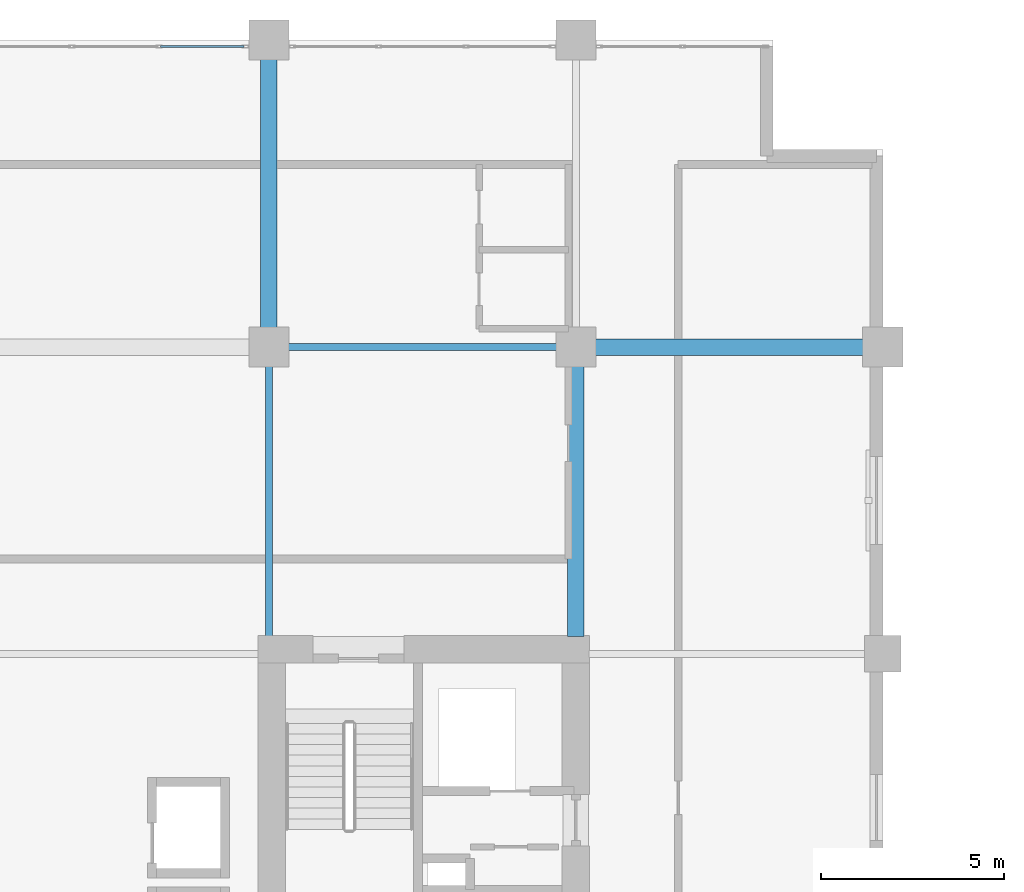
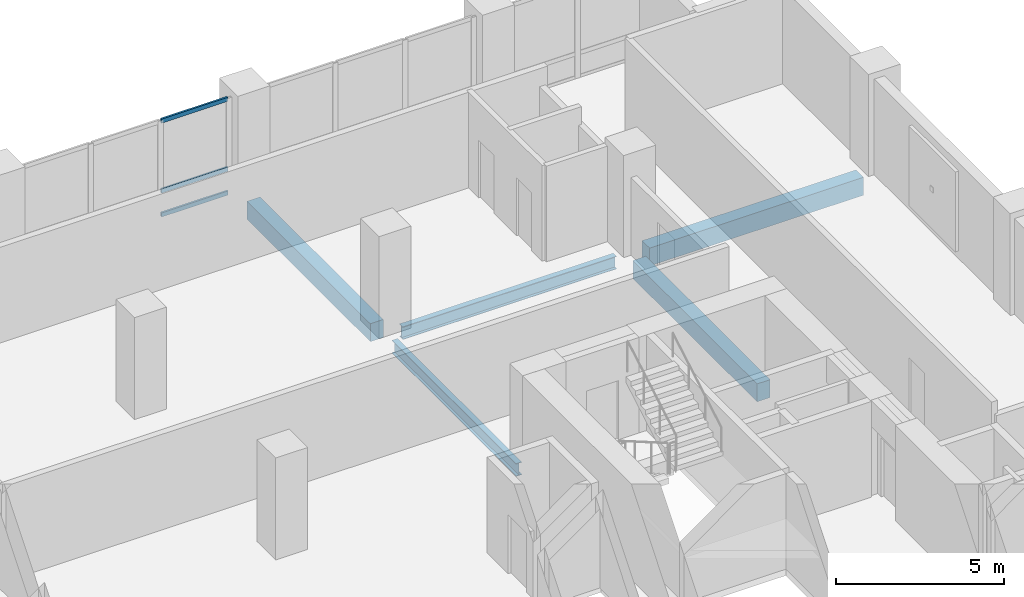
# One storey, part 4 of 20: 5 beams, 3 members, 1 element without a shape of its own.
"""IFC4 building model written with IfcOpenShell, lengths in metres."""

import ifcopenshell
import ifcopenshell.guid

model = None  # the IFC model being written
_history = None  # IfcOwnerHistory: only IFC2X3 demands one
_inside = {}  # id of a spatial element -> (the spatial element, [elements in it])
_under = {}  # id of a project, library or spatial element -> (it, [spatial elements below it])
_declared = {}  # id of a project -> (the project, [libraries it declares])
_typed = {}  # id of a type object -> (the type object, [elements of that type])
_made_of = {}  # id of a material, layer set ... -> (it, [elements and type objects made of it])


def new_model(schema):
    """Start an empty IFC model of exactly this schema.

    Asked for "IFC4X3", IfcOpenShell would pick the latest addendum, in which some entities
    have other attributes; the version numbers below select the first issue.
    IFC2X3 requires an IfcOwnerHistory on every rooted entity: one is made here for all.
    """
    global model, _history
    if schema == "IFC4X3":
        model = ifcopenshell.file(schema_version=(4, 3, 0, 0))
    else:
        model = ifcopenshell.file(schema=schema)
    _inside.clear()
    _under.clear()
    _declared.clear()
    _typed.clear()
    _made_of.clear()
    _history = None
    if model.schema == "IFC2X3":
        org = make("IfcOrganization", Name="unknown")
        user = make(
            "IfcPersonAndOrganization",
            ThePerson=make("IfcPerson", FamilyName="unknown"),
            TheOrganization=org,
        )
        app = make(
            "IfcApplication",
            ApplicationDeveloper=org,
            Version="unknown",
            ApplicationFullName="unknown",
            ApplicationIdentifier="unknown",
        )
        _history = make(
            "IfcOwnerHistory",
            OwningUser=user,
            OwningApplication=app,
            ChangeAction="ADDED",
            CreationDate=0,
        )
    return model


def make(cls, **values):
    """One entity of the class cls with the attributes given. An attribute that is None is left unset."""
    return model.create_entity(
        cls, **{name: value for name, value in values.items() if value is not None}
    )


def rooted(cls, **values):
    """An entity with a GlobalId (a new one), such as an element, a storey or a relation."""
    return make(cls, GlobalId=ifcopenshell.guid.new(), OwnerHistory=_history, **values)


def si_unit(unit_type, name, prefix=None):
    """IfcSIUnit, for example si_unit("LENGTHUNIT", "METRE", prefix="MILLI")."""
    return make("IfcSIUnit", UnitType=unit_type, Prefix=prefix, Name=name)


def assignment(units):
    """IfcUnitAssignment: the units of a project."""
    return None if units is None else make("IfcUnitAssignment", Units=units)


def point(xyz):
    """IfcCartesianPoint."""
    return None if xyz is None else make("IfcCartesianPoint", Coordinates=xyz)


def direction(xyz):
    """IfcDirection."""
    return None if xyz is None else make("IfcDirection", DirectionRatios=xyz)


def frame(location, z_axis=None, x_axis=None):
    """IfcAxis2Placement3D, a coordinate frame: its origin and axes. An axis left out is left unset."""
    return make(
        "IfcAxis2Placement3D",
        Location=point(location),
        Axis=direction(z_axis),
        RefDirection=direction(x_axis),
    )


def frame_2d(location, x_axis=None):
    """IfcAxis2Placement2D, a coordinate frame in the plane: its origin and x axis."""
    return make(
        "IfcAxis2Placement2D", Location=point(location), RefDirection=direction(x_axis)
    )


def origin():
    """The frame at (0, 0, 0) with its axes left unset."""
    return frame((0.0, 0.0, 0.0))


def origin_2d():
    """The frame at (0, 0) in the plane with its x axis left unset."""
    return frame_2d((0.0, 0.0))


def place(relative_to, where):
    """IfcLocalPlacement: puts the frame where relative to a parent placement (None: the world)."""
    return make(
        "IfcLocalPlacement", PlacementRelTo=relative_to, RelativePlacement=where
    )


def context(
    kind, dimensions, precision=None, world=None, true_north=None, identifier=None
):
    """IfcGeometricRepresentationContext, for example the 3D "Model" context."""
    return make(
        "IfcGeometricRepresentationContext",
        ContextIdentifier=identifier,
        ContextType=kind,
        CoordinateSpaceDimension=dimensions,
        Precision=precision,
        WorldCoordinateSystem=world,
        TrueNorth=true_north,
    )


def subcontext(parent, identifier, kind, view, scale=None):
    """IfcGeometricRepresentationSubContext, for example "Body" below "Model"."""
    return make(
        "IfcGeometricRepresentationSubContext",
        ContextIdentifier=identifier,
        ContextType=kind,
        ParentContext=parent,
        TargetScale=scale,
        TargetView=view,
    )


def project(units=None, contexts=None):
    """IfcProject with its units and contexts."""
    return rooted(
        "IfcProject",
        Name="project",
        RepresentationContexts=contexts,
        UnitsInContext=assignment(units),
    )


def spatial(cls, under=None, at=None, **own):
    """A site, building, storey or space (cls), placed at a placement, below another one or the project."""
    s = rooted(cls, ObjectPlacement=at, **own)
    if under is not None:
        _under.setdefault(under.id(), (under, []))[1].append(s)
    return s


def profile(cls, at=None, kind="AREA", **sizes):
    """A parametric profile (cls). Its sizes go by their IFC names, for example OverallWidth=200.0."""
    return make(cls, ProfileType=kind, Position=at, **sizes)


def rectangle(**sizes):
    """IfcRectangleProfileDef."""
    return profile("IfcRectangleProfileDef", **sizes)


def hollow_rectangle(**sizes):
    """IfcRectangleHollowProfileDef."""
    return profile("IfcRectangleHollowProfileDef", **sizes)


def i_section(**sizes):
    """IfcIShapeProfileDef."""
    return profile("IfcIShapeProfileDef", **sizes)


def extrude(swept, where, along, depth):
    """IfcExtrudedAreaSolid: the profile swept, set in the frame where, extruded along a direction by depth."""
    return make(
        "IfcExtrudedAreaSolid",
        SweptArea=swept,
        Position=where,
        ExtrudedDirection=direction(along),
        Depth=depth,
    )


def shape(context_of_items, identifier, shape_type, items):
    """IfcShapeRepresentation: the items that make up one representation, for example the "Body"."""
    return make(
        "IfcShapeRepresentation",
        ContextOfItems=context_of_items,
        RepresentationIdentifier=identifier,
        RepresentationType=shape_type,
        Items=items,
    )


def material(Name=None, Category=None):
    """IfcMaterial."""
    return make("IfcMaterial", Name=Name, Category=Category)


def layer(
    of_material, thickness, ventilated=None, Name=None, Category=None, Priority=None
):
    """IfcMaterialLayer: one layer of a wall or slab, of a material (None: an air gap)."""
    return make(
        "IfcMaterialLayer",
        Material=of_material,
        LayerThickness=thickness,
        IsVentilated=ventilated,
        Name=Name,
        Category=Category,
        Priority=Priority,
    )


def layer_set(layers, Name=None):
    """IfcMaterialLayerSet."""
    return make("IfcMaterialLayerSet", MaterialLayers=layers, LayerSetName=Name)


def material_profile(
    of_material, cross_section, Name=None, Category=None, Priority=None
):
    """IfcMaterialProfile: a cross section and its material."""
    return make(
        "IfcMaterialProfile",
        Name=Name,
        Material=of_material,
        Profile=cross_section,
        Priority=Priority,
        Category=Category,
    )


def profile_set(profiles, Name=None, composite=None):
    """IfcMaterialProfileSet."""
    return make(
        "IfcMaterialProfileSet",
        Name=Name,
        MaterialProfiles=profiles,
        CompositeProfile=composite,
    )


def made_of(thing, what):
    """Note that an element or type object is made of a material, layer set ...; save() writes the relation."""
    if what is not None:
        _made_of.setdefault(what.id(), (what, []))[1].append(thing)
    return thing


def type_object(cls, material=None, **own):
    """A type object (cls), such as IfcWallType, which elements share."""
    return made_of(rooted(cls, **own), material)


def element(
    cls,
    number,
    at=None,
    inside=None,
    cuts=None,
    type_object=None,
    material=None,
    context=None,
    identifier="Body",
    shape_type=None,
    held_by="IfcProductDefinitionShape",
    body=None,
    shapes=None,
    **own,
):
    """One element of the class cls, such as IfcWall. Its Tag is "e" and its number.

    at: its placement. inside: the storey or other place that contains it. cuts: it is an
    opening in that element (IfcRelVoidsElement). A single representation is given by context,
    identifier, shape_type and body (its items); several are given by shapes. held_by: the class
    of the entity that holds the representations. save() writes the other relations.
    """
    e = rooted(cls, Tag="e%d" % number, ObjectPlacement=at, **own)
    if body is not None:
        shapes = [shape(context, identifier, shape_type, body)]
    if shapes is not None:
        e.Representation = make(held_by, Representations=shapes)
    if inside is not None:
        _inside.setdefault(inside.id(), (inside, []))[1].append(e)
    if cuts is not None:
        rooted(
            "IfcRelVoidsElement", RelatingBuildingElement=cuts, RelatedOpeningElement=e
        )
    if type_object is not None:
        _typed.setdefault(type_object.id(), (type_object, []))[1].append(e)
    return made_of(e, material)


def aggregate(whole, parts):
    """IfcRelAggregates: a whole, such as a stair, and the parts it consists of."""
    return rooted("IfcRelAggregates", RelatingObject=whole, RelatedObjects=parts)


def save(model, path):
    """Write the relations noted so far, then the file.

    IfcRelAggregates (storeys below a building ...), IfcRelContainedInSpatialStructure (elements
    in a storey), IfcRelDefinesByType, IfcRelAssociatesMaterial and IfcRelDeclares: one each for
    every whole, place, type object, material and project.
    """
    for whole, parts in _under.values():
        aggregate(whole, parts)
    for where, things in _inside.values():
        rooted(
            "IfcRelContainedInSpatialStructure",
            RelatedElements=things,
            RelatingStructure=where,
        )
    for kind, things in _typed.values():
        rooted("IfcRelDefinesByType", RelatedObjects=things, RelatingType=kind)
    for what, things in _made_of.values():
        rooted("IfcRelAssociatesMaterial", RelatedObjects=things, RelatingMaterial=what)
    for by, libraries in _declared.values():
        rooted("IfcRelDeclares", RelatingContext=by, RelatedDefinitions=libraries)
    model.write(path)


model = new_model("IFC4")

# Units and contexts
model_context = context("Model", 3, precision=1e-05, world=origin(), true_north=direction((0.0, 1.0)))
body_context = subcontext(model_context, "Body", "Model", "MODEL_VIEW")
ifc_project = project(units=[si_unit("LENGTHUNIT", "METRE"), si_unit("AREAUNIT", "SQUARE_METRE"), si_unit("VOLUMEUNIT", "CUBIC_METRE"), si_unit("PLANEANGLEUNIT", "RADIAN"), si_unit("MASSUNIT", "GRAM", prefix="KILO")], contexts=[model_context])

# Site, building, storey
site_placement = place(None, origin())
site = spatial("IfcSite", under=ifc_project, at=site_placement, CompositionType="ELEMENT")
building_placement = place(site_placement, origin())
building = spatial("IfcBuilding", under=site, at=building_placement, Name="Koriwani Terraces Tower", CompositionType="ELEMENT")
storey_placement = place(building_placement, frame((0.0, 0.0, 175.39990234375)))
storey = spatial("IfcBuildingStorey", under=building, at=storey_placement, Name="L42", CompositionType="ELEMENT", Elevation=175.39990234375)

# Beams
ifc_material_1 = material(Name="Concrete C50/60", Category="concrete")
ifc_material_profile_1 = material_profile(ifc_material_1, rectangle(XDim=0.449951171875, YDim=0.64990234375, at=origin_2d()), Name="Concrete C50/60", Category="LoadBearing")
ifc_profile_set_1 = profile_set([ifc_material_profile_1], Name="Concrete C50/60")
beam_type_1 = type_object("IfcBeamType", Name="BEAM_RC_GRID_450X650", PredefinedType="BEAM", material=ifc_profile_set_1)
for number, where, z_axis, x_axis, name in (
    (1, (25.72998046875, 67.199951171875, -0.554931640625), (1.0, 0.0, 0.0), (0.0, 1.0, 0.0), "L42 Grid Beam I (25.2-33.6m)"),
    (2, (16.800048828125, 67.72998046875, -0.554931640625), (0.0, 1.0, 0.0), (-1.0, 0.0, 0.0), "L42 Grid Beam 3 (67.2-75.6m)"),
):
    element("IfcBeam", number, at=place(storey_placement, frame(where, z_axis=z_axis, x_axis=x_axis)), inside=storey, type_object=beam_type_1, Name=name, PredefinedType="BEAM", context=body_context, shape_type="SweptSolid", body=[
        extrude(rectangle(XDim=0.449951171875, YDim=0.64990234375, at=origin_2d()), origin(), (0.0, 0.0, 1.0), 7.340087890625),
    ])
beam_1_placement = place(storey_placement, frame((25.199951171875, 59.280029296875, -0.554931640625), z_axis=(0.0, 1.0, 0.0), x_axis=(-1.0, 0.0, 0.0)))
element("IfcBeam", 3, at=beam_1_placement, inside=storey, type_object=beam_type_1, Name="L42 Grid Beam 4 (58.8-67.2m)", PredefinedType="BEAM", context=body_context, shape_type="SweptSolid", body=[
    extrude(rectangle(XDim=0.449951171875, YDim=0.64990234375, at=origin_2d()), origin(), (0.0, 0.0, 1.0), 7.389892578125),
])

# Curtain wall, members
ifc_material_2 = material(Name="Anodised Bronze Aluminium", Category="aluminium")
ifc_layer = layer(ifc_material_2, 0.169921875, Name="Anodised Bronze Aluminium")
ifc_layer_set = layer_set([ifc_layer], Name="Anodised Bronze Aluminium")
curtain_wall_type = type_object("IfcCurtainWallType", Name="CW_RES_ZONE3", PredefinedType="NOTDEFINED", material=ifc_layer_set)
curtain_wall_placement = place(storey_placement, origin())
curtain_wall = element("IfcCurtainWall", 4, at=curtain_wall_placement, inside=storey, type_object=curtain_wall_type, Name="L42 Unitised Curtain Wall (N_TIP) Bay 2", PredefinedType="NOTDEFINED")
ifc_material_profile_2 = material_profile(ifc_material_2, hollow_rectangle(XDim=0.06494140625, YDim=0.14990234375, WallThickness=0.0048828125, at=origin_2d()), Name="Anodised Bronze Aluminium", Category="LoadBearing")
ifc_profile_set_2 = profile_set([ifc_material_profile_2], Name="Anodised Bronze Aluminium")
member_type = type_object("IfcMemberType", Name="CW_TRANSOM_150X65", PredefinedType="USERDEFINED", material=ifc_profile_set_2)
member_1_placement = place(storey_placement, frame((13.834228515625, 75.425048828125, 0.03271484375), z_axis=(1.0, 0.0, 0.0), x_axis=(0.0, 1.0, 0.0)))
member_1 = element("IfcMember", 5, at=member_1_placement, type_object=member_type, Name="CW-Z3 transom 3.1", ObjectType="TRANSOM", PredefinedType="USERDEFINED", context=body_context, shape_type="SweptSolid", body=[
    extrude(hollow_rectangle(XDim=0.06494140625, YDim=0.14990234375, WallThickness=0.0048828125, at=origin_2d()), origin(), (0.0, 0.0, 1.0), 2.28076171875),
])
member_2_placement = place(storey_placement, frame((13.834228515625, 75.425048828125, 0.900146484375), z_axis=(1.0, 0.0, 0.0), x_axis=(0.0, 1.0, 0.0)))
member_2 = element("IfcMember", 6, at=member_2_placement, type_object=member_type, Name="CW-Z3 transom 3.2", ObjectType="TRANSOM", PredefinedType="USERDEFINED", context=body_context, shape_type="SweptSolid", body=[
    extrude(hollow_rectangle(XDim=0.06494140625, YDim=0.14990234375, WallThickness=0.0048828125, at=origin_2d()), origin(), (0.0, 0.0, 1.0), 2.28076171875),
])
member_3_placement = place(storey_placement, frame((13.834228515625, 75.425048828125, 3.4375), z_axis=(1.0, 0.0, 0.0), x_axis=(0.0, 1.0, 0.0)))
member_3 = element("IfcMember", 7, at=member_3_placement, type_object=member_type, Name="CW-Z3 transom 3.3", ObjectType="TRANSOM", PredefinedType="USERDEFINED", context=body_context, shape_type="SweptSolid", body=[
    extrude(hollow_rectangle(XDim=0.06494140625, YDim=0.14990234375, WallThickness=0.0048828125, at=origin_2d()), origin(), (0.0, 0.0, 1.0), 2.28076171875),
])
aggregate(curtain_wall, [member_1, member_2, member_3])

# Beams
ifc_material_3 = material(Name="Steel ASTM A572 Grade 50", Category="steel")
ifc_material_profile_3 = material_profile(ifc_material_3, i_section(OverallWidth=0.193115234375, OverallDepth=0.462890625, WebThickness=0.0107421875, FlangeThickness=0.017333984375, at=origin_2d()), Name="Steel ASTM A572 Grade 50", Category="LoadBearing")
ifc_profile_set_3 = profile_set([ifc_material_profile_3], Name="Steel ASTM A572 Grade 50")
beam_type_2 = type_object("IfcBeamType", Name="STEEL_BEAM_W460X113", PredefinedType="BEAM", material=ifc_profile_set_3)
beam_2_placement = place(storey_placement, frame((17.330078125, 67.199951171875, -0.46142578125), z_axis=(1.0, 0.0, 0.0), x_axis=(0.0, 1.0, 0.0)))
element("IfcBeam", 8, at=beam_2_placement, inside=storey, type_object=beam_type_2, Name="L42 Grid Beam I (16.8-25.2m)", PredefinedType="BEAM", context=body_context, shape_type="SweptSolid", body=[
    extrude(i_section(OverallWidth=0.193115234375, OverallDepth=0.462890625, WebThickness=0.0107421875, FlangeThickness=0.017333984375, at=origin_2d()), origin(), (0.0, 0.0, 1.0), 7.33984375),
])
beam_3_placement = place(storey_placement, frame((16.800048828125, 59.280029296875, -0.46142578125), z_axis=(0.0, 1.0, 0.0), x_axis=(-1.0, 0.0, 0.0)))
element("IfcBeam", 9, at=beam_3_placement, inside=storey, type_object=beam_type_2, Name="L42 Grid Beam 3 (58.8-67.2m)", PredefinedType="BEAM", context=body_context, shape_type="SweptSolid", body=[
    extrude(i_section(OverallWidth=0.193115234375, OverallDepth=0.462890625, WebThickness=0.0107421875, FlangeThickness=0.017333984375, at=origin_2d()), origin(), (0.0, 0.0, 1.0), 7.389892578125),
])

save(model, "model.ifc")
